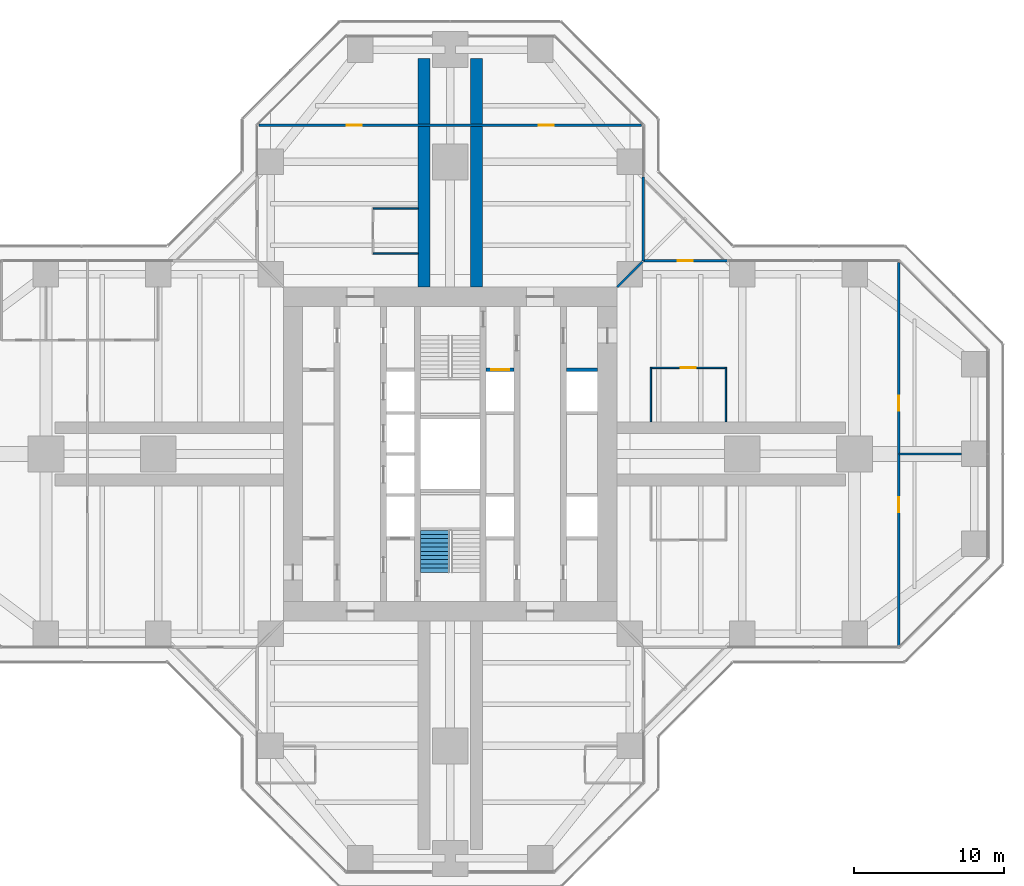
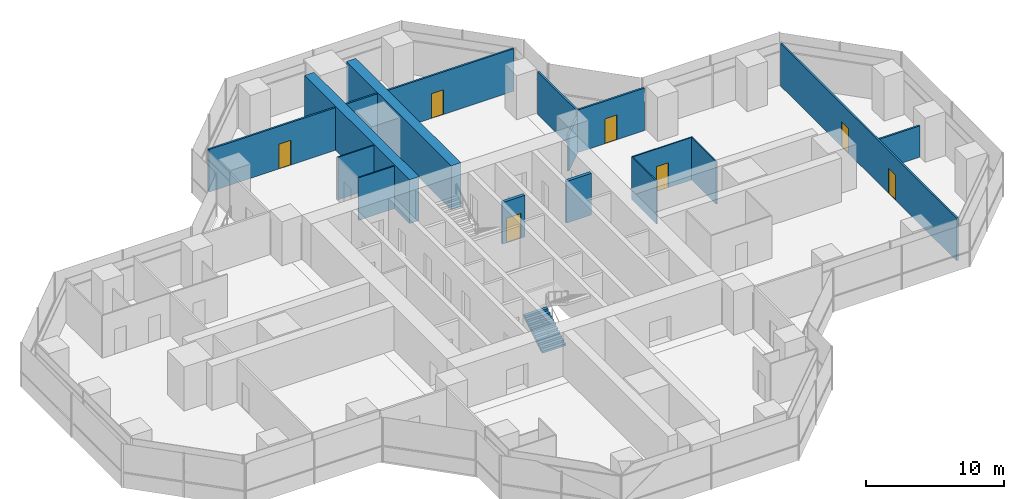
# One storey, part 17 of 19: 15 walls, 7 doors, 1 stair flight, 7 openings, 1 element without a shape of its own.
"""IFC4 building model written with IfcOpenShell, lengths in metres."""

from ifc_helpers import new_model, si_unit, direction, frame, frame_2d, origin, place, context, subcontext, project, spatial, polyline, rectangle, outline, extrude, material, layer, layer_set, type_object, element, fill, aggregate, save


model = new_model("IFC4")

# Units and contexts
model_context = context("Model", 3, precision=1e-05, world=origin(), true_north=direction((0.0, 1.0)))
body_context = subcontext(model_context, "Body", "Model", "MODEL_VIEW")
ifc_project = project(units=[si_unit("LENGTHUNIT", "METRE"), si_unit("AREAUNIT", "SQUARE_METRE"), si_unit("VOLUMEUNIT", "CUBIC_METRE"), si_unit("PLANEANGLEUNIT", "RADIAN"), si_unit("MASSUNIT", "GRAM", prefix="KILO")], contexts=[model_context])

# Site, building, storey
site_placement = place(None, origin())
site = spatial("IfcSite", under=ifc_project, at=site_placement, CompositionType="ELEMENT")
building_placement = place(site_placement, origin())
building = spatial("IfcBuilding", under=site, at=building_placement, Name="Mizan Broadcast Tower", CompositionType="ELEMENT")
storey_placement = place(building_placement, frame((0.0, 0.0, 163.199951171875)))
storey = spatial("IfcBuildingStorey", under=building, at=storey_placement, Name="L37", CompositionType="ELEMENT", Elevation=163.199951171875)

# Wall, opening, door
ifc_material_1 = material(Name="Aluminium framed glazed screen", Category="aluminium")
ifc_layer_1 = layer(ifc_material_1, 0.159912109375)
ifc_layer_set_1 = layer_set([ifc_layer_1], Name="Aluminium framed glazed screen")
wall_type_1 = type_object("IfcWallType", Name="GLAZED SCREEN WALL 160", PredefinedType="SOLIDWALL", material=ifc_layer_set_1)
wall_1_placement = place(storey_placement, frame((18.5, 12.89990234375, 0.0), z_axis=(0.0, 0.0, 1.0), x_axis=(-1.0, 0.0, 0.0)))
wall_1 = element("IfcWall", 1, at=wall_1_placement, inside=storey, type_object=wall_type_1, Name="Winter garden screen L37 E", PredefinedType="SOLIDWALL", context=body_context, shape_type="SweptSolid", body=[
    extrude(rectangle(XDim=5.60009765625, YDim=0.159912109375, at=frame_2d((2.800048828125, 0.0))), origin(), (0.0, 0.0, 1.0), 3.77001953125),
])
opening_1_placement = place(wall_1_placement, frame((2.300048828125, 0.0, 0.0)))
opening_1 = element("IfcOpeningElement", 2, at=opening_1_placement, cuts=wall_1, Name="Opening WGD", PredefinedType="OPENING", context=body_context, shape_type="SweptSolid", body=[
    extrude(rectangle(XDim=1.0, YDim=2.199951171875, at=frame_2d((0.5, 1.10009765625))), frame((0.0, 0.08984375, 0.0), z_axis=(0.0, -1.0, 0.0), x_axis=(1.0, 0.0, 0.0)), (0.0, 0.0, 1.0), 0.179931640625),
])
ifc_material_2 = material(Name="Aluminium framed glazed door", Category="aluminium")
door_type_1 = type_object("IfcDoorType", Name="WINTER GARDEN DOOR 1000 GLAZED", OperationType="SINGLE_SWING_LEFT", PredefinedType="DOOR", material=ifc_material_2)
door_1_placement = place(opening_1_placement, origin())
door_1 = element("IfcDoor", 3, at=door_1_placement, inside=storey, type_object=door_type_1, Name="Winter garden door L37 E", OperationType="SINGLE_SWING_RIGHT", OverallHeight=2.199951171875, OverallWidth=1.0, PredefinedType="DOOR", context=body_context, shape_type="SweptSolid", body=[
    extrude(rectangle(XDim=1.0, YDim=2.199951171875, at=frame_2d((0.5, 1.10009765625))), frame((0.0, 0.02490234375, 0.0), z_axis=(0.0, -1.0, 0.0), x_axis=(1.0, 0.0, 0.0)), (0.0, 0.0, 1.0), 0.050048828125),
])
fill(opening_1, door_1)

# Wall
wall_2_placement = place(storey_placement, frame((12.89990234375, 12.89990234375, 0.0), z_axis=(0.0, 0.0, 1.0), x_axis=(0.0, 1.0, 0.0)))
element("IfcWall", 4, at=wall_2_placement, inside=storey, type_object=wall_type_1, Name="Winter garden screen L37 N", PredefinedType="SOLIDWALL", context=body_context, shape_type="SweptSolid", body=[
    extrude(rectangle(XDim=5.60009765625, YDim=0.159912109375, at=frame_2d((2.800048828125, 0.0))), origin(), (0.0, 0.0, 1.0), 3.77001953125),
])

# Wall, opening, door
ifc_material_3 = material(Name="Concrete blockwork", Category="masonry")
ifc_layer_2 = layer(ifc_material_3, 0.25)
ifc_layer_set_2 = layer_set([ifc_layer_2], Name="Concrete blockwork")
wall_type_2 = type_object("IfcWallType", Name="LOBBY ENCLOSURE WALL 250", PredefinedType="SOLIDWALL", material=ifc_layer_set_2)
wall_3_placement = place(storey_placement, frame((2.39990234375, 5.625, 0.0), z_axis=(0.0, 0.0, 1.0), x_axis=(1.0, 0.0, 0.0)))
wall_3 = element("IfcWall", 5, at=wall_3_placement, inside=storey, type_object=wall_type_2, Name="Lobby enclosure wall CORE/BE2N", PredefinedType="SOLIDWALL", context=body_context, shape_type="SweptSolid", body=[
    extrude(rectangle(XDim=1.85009765625, YDim=0.25, at=frame_2d((0.925048828125, 0.0))), origin(), (0.0, 0.0, 1.0), 3.699951171875),
])
opening_2_placement = place(wall_3_placement, frame((0.324951171875, 0.0, 0.0)))
opening_2 = element("IfcOpeningElement", 6, at=opening_2_placement, cuts=wall_3, Name="Opening LDF", PredefinedType="OPENING", context=body_context, shape_type="SweptSolid", body=[
    extrude(rectangle(XDim=1.199951171875, YDim=2.199951171875, at=frame_2d((0.60009765625, 1.10009765625))), frame((0.0, 0.135009765625, 0.0), z_axis=(0.0, -1.0, 0.0), x_axis=(1.0, 0.0, 0.0)), (0.0, 0.0, 1.0), 0.27001953125),
])
ifc_material_4 = material(Name="Steel door leaf in steel frame", Category="steel")
door_type_2 = type_object("IfcDoorType", Name="FIREFIGHTING LIFT LANDING DOOR 1200", OperationType="SLIDING_TO_LEFT", PredefinedType="DOOR", material=ifc_material_4)
door_2_placement = place(opening_2_placement, origin())
door_2 = element("IfcDoor", 7, at=door_2_placement, inside=storey, type_object=door_type_2, Name="Landing door FF2", OperationType="SLIDING_TO_LEFT", OverallHeight=2.199951171875, OverallWidth=1.199951171875, PredefinedType="DOOR", context=body_context, shape_type="SweptSolid", body=[
    extrude(rectangle(XDim=1.199951171875, YDim=2.199951171875, at=frame_2d((0.60009765625, 1.10009765625))), frame((0.0, 0.02490234375, 0.0), z_axis=(0.0, -1.0, 0.0), x_axis=(1.0, 0.0, 0.0)), (0.0, 0.0, 1.0), 0.050048828125),
])
fill(opening_2, door_2)

# Wall
wall_4_placement = place(storey_placement, frame((7.75, 5.625, 0.0), z_axis=(0.0, 0.0, 1.0), x_axis=(1.0, 0.0, 0.0)))
element("IfcWall", 8, at=wall_4_placement, inside=storey, type_object=wall_type_2, Name="Lobby enclosure wall CORE/BE1N", PredefinedType="SOLIDWALL", context=body_context, shape_type="SweptSolid", body=[
    extrude(rectangle(XDim=2.10009765625, YDim=0.25, at=frame_2d((1.050048828125, 0.0))), origin(), (0.0, 0.0, 1.0), 3.699951171875),
])

# Wall, openings, doors
ifc_material_5 = material(Name="Gypsum board on steel studs", Category="steel")
ifc_layer_3 = layer(ifc_material_5, 0.14990234375)
ifc_layer_set_3 = layer_set([ifc_layer_3], Name="Gypsum board on steel studs")
wall_type_3 = type_object("IfcWallType", Name="PARTITION 150", PredefinedType="PARTITIONING", material=ifc_layer_set_3)
wall_5_placement = place(storey_placement, frame((29.958984375, -12.786376953125, 0.0), z_axis=(0.0, 0.0, 1.0), x_axis=(0.0, 1.0, 0.0)))
wall_5 = element("IfcWall", 9, at=wall_5_placement, inside=storey, type_object=wall_type_3, Name="Partition PT/EX1", PredefinedType="PARTITIONING", context=body_context, shape_type="SweptSolid", body=[
    extrude(rectangle(XDim=25.57275390625, YDim=0.14990234375, at=frame_2d((12.786376953125, 0.0))), origin(), (0.0, 0.0, 1.0), 3.77001953125),
])
opening_3_placement = place(wall_5_placement, frame((15.6865234375, 0.0, 0.0)))
opening_3 = element("IfcOpeningElement", 10, at=opening_3_placement, cuts=wall_5, Name="Opening D10", PredefinedType="OPENING", context=body_context, shape_type="SweptSolid", body=[
    extrude(rectangle(XDim=1.0, YDim=2.199951171875, at=frame_2d((0.5, 1.10009765625))), frame((0.0, 0.0849609375, 0.0), z_axis=(0.0, -1.0, 0.0), x_axis=(1.0, 0.0, 0.0)), (0.0, 0.0, 1.0), 0.169921875),
])
opening_4_placement = place(wall_5_placement, frame((8.886474609375, 0.0, 0.0)))
opening_4 = element("IfcOpeningElement", 11, at=opening_4_placement, cuts=wall_5, Name="Opening D10", PredefinedType="OPENING", context=body_context, shape_type="SweptSolid", body=[
    extrude(rectangle(XDim=1.0, YDim=2.199951171875, at=frame_2d((0.5, 1.10009765625))), frame((0.0, 0.0849609375, 0.0), z_axis=(0.0, -1.0, 0.0), x_axis=(1.0, 0.0, 0.0)), (0.0, 0.0, 1.0), 0.169921875),
])
ifc_material_6 = material(Name="Timber door leaf in aluminium frame", Category="wood")
door_type_3 = type_object("IfcDoorType", Name="ROOM DOOR 1000", OperationType="SINGLE_SWING_LEFT", PredefinedType="DOOR", material=ifc_material_6)
door_3_placement = place(opening_3_placement, origin())
door_3 = element("IfcDoor", 12, at=door_3_placement, inside=storey, type_object=door_type_3, Name="Archive reading room door", OperationType="SINGLE_SWING_RIGHT", OverallHeight=2.199951171875, OverallWidth=1.0, PredefinedType="DOOR", context=body_context, shape_type="SweptSolid", body=[
    extrude(rectangle(XDim=1.0, YDim=2.199951171875, at=frame_2d((0.5, 1.10009765625))), frame((0.0, 0.02490234375, 0.0), z_axis=(0.0, -1.0, 0.0), x_axis=(1.0, 0.0, 0.0)), (0.0, 0.0, 1.0), 0.050048828125),
])
fill(opening_3, door_3)
door_4_placement = place(opening_4_placement, origin())
door_4 = element("IfcDoor", 13, at=door_4_placement, inside=storey, type_object=door_type_3, Name="Archive reading room door", OperationType="SINGLE_SWING_LEFT", OverallHeight=2.199951171875, OverallWidth=1.0, PredefinedType="DOOR", context=body_context, shape_type="SweptSolid", body=[
    extrude(rectangle(XDim=1.0, YDim=2.199951171875, at=frame_2d((0.5, 1.10009765625))), frame((0.0, 0.02490234375, 0.0), z_axis=(0.0, -1.0, 0.0), x_axis=(1.0, 0.0, 0.0)), (0.0, 0.0, 1.0), 0.050048828125),
])
fill(opening_4, door_4)

# Wall
wall_6_placement = place(storey_placement, frame((29.958984375, 0.0, 0.0), z_axis=(0.0, 0.0, 1.0), x_axis=(1.0, 0.0, 0.0)))
element("IfcWall", 14, at=wall_6_placement, inside=storey, type_object=wall_type_3, Name="Partition PT/EES", PredefinedType="PARTITIONING", context=body_context, shape_type="SweptSolid", body=[
    extrude(rectangle(XDim=4.19091796875, YDim=0.14990234375, at=frame_2d((2.095458984375, 0.0))), origin(), (0.0, 0.0, 1.0), 2.77001953125),
])

# Wall, openings, doors
wall_7_placement = place(storey_placement, frame((12.786376953125, 21.958984375, 0.0), z_axis=(0.0, 0.0, 1.0), x_axis=(-1.0, 0.0, 0.0)))
wall_7 = element("IfcWall", 15, at=wall_7_placement, inside=storey, type_object=wall_type_3, Name="Partition PT/NX1", PredefinedType="PARTITIONING", context=body_context, shape_type="SweptSolid", body=[
    extrude(rectangle(XDim=25.57275390625, YDim=0.14990234375, at=frame_2d((12.786376953125, 0.0))), origin(), (0.0, 0.0, 1.0), 3.77001953125),
])
opening_5_placement = place(wall_7_placement, frame((18.6865234375, 0.0, 0.0)))
opening_5 = element("IfcOpeningElement", 16, at=opening_5_placement, cuts=wall_7, Name="Opening D10", PredefinedType="OPENING", context=body_context, shape_type="SweptSolid", body=[
    extrude(rectangle(XDim=1.0, YDim=2.199951171875, at=frame_2d((0.5, 1.10009765625))), frame((0.0, 0.0849609375, 0.0), z_axis=(0.0, -1.0, 0.0), x_axis=(1.0, 0.0, 0.0)), (0.0, 0.0, 1.0), 0.169921875),
])
opening_6_placement = place(wall_7_placement, frame((5.886474609375, 0.0, 0.0)))
opening_6 = element("IfcOpeningElement", 17, at=opening_6_placement, cuts=wall_7, Name="Opening D10", PredefinedType="OPENING", context=body_context, shape_type="SweptSolid", body=[
    extrude(rectangle(XDim=1.0, YDim=2.199951171875, at=frame_2d((0.5, 1.10009765625))), frame((0.0, 0.0849609375, 0.0), z_axis=(0.0, -1.0, 0.0), x_axis=(1.0, 0.0, 0.0)), (0.0, 0.0, 1.0), 0.169921875),
])
door_5_placement = place(opening_5_placement, origin())
door_5 = element("IfcDoor", 18, at=door_5_placement, inside=storey, type_object=door_type_3, Name="Meeting room door", OperationType="SINGLE_SWING_RIGHT", OverallHeight=2.199951171875, OverallWidth=1.0, PredefinedType="DOOR", context=body_context, shape_type="SweptSolid", body=[
    extrude(rectangle(XDim=1.0, YDim=2.199951171875, at=frame_2d((0.5, 1.10009765625))), frame((0.0, 0.02490234375, 0.0), z_axis=(0.0, -1.0, 0.0), x_axis=(1.0, 0.0, 0.0)), (0.0, 0.0, 1.0), 0.050048828125),
])
fill(opening_5, door_5)
door_6_placement = place(opening_6_placement, origin())
door_6 = element("IfcDoor", 19, at=door_6_placement, inside=storey, type_object=door_type_3, Name="Meeting room door", OperationType="SINGLE_SWING_LEFT", OverallHeight=2.199951171875, OverallWidth=1.0, PredefinedType="DOOR", context=body_context, shape_type="SweptSolid", body=[
    extrude(rectangle(XDim=1.0, YDim=2.199951171875, at=frame_2d((0.5, 1.10009765625))), frame((0.0, 0.02490234375, 0.0), z_axis=(0.0, -1.0, 0.0), x_axis=(1.0, 0.0, 0.0)), (0.0, 0.0, 1.0), 0.050048828125),
])
fill(opening_6, door_6)

# Walls
wall_8_placement = place(storey_placement, frame((11.14990234375, 11.14990234375, 0.0), z_axis=(0.0, 0.0, 1.0), x_axis=(0.707106781187, 0.707106781187, 0.0)))
element("IfcWall", 20, at=wall_8_placement, inside=storey, type_object=wall_type_3, Name="Partition PT/DGEN", PredefinedType="PARTITIONING", context=body_context, shape_type="SweptSolid", body=[
    extrude(rectangle(XDim=2.362060546875, YDim=0.14990234375, at=frame_2d((1.18115234375, 0.0))), origin(), (0.0, 0.0, 1.0), 3.219970703125),
])
ifc_material_7 = material(Name="Glazed aluminium partition on aluminium track", Category="aluminium")
ifc_layer_4 = layer(ifc_material_7, 0.10009765625)
ifc_layer_set_4 = layer_set([ifc_layer_4], Name="Glazed aluminium partition on aluminium track")
wall_type_4 = type_object("IfcWallType", Name="PARTITION GLAZED OFFICE FRONT 100", PredefinedType="PARTITIONING", material=ifc_layer_set_4)
for number, where, z_axis, x_axis, name in (
    (21, (13.39990234375, 2.14990234375, 0.0), (0.0, 0.0, 1.0), (0.0, 1.0, 0.0), "Glazed office front PT/EKP0a"),
    (22, (18.39990234375, 2.14990234375, 0.0), (0.0, 0.0, 1.0), (0.0, 1.0, 0.0), "Glazed office front PT/EKP0b"),
):
    element("IfcWall", number, at=place(storey_placement, frame(where, z_axis=z_axis, x_axis=x_axis)), inside=storey, type_object=wall_type_4, Name=name, PredefinedType="PARTITIONING", context=body_context, shape_type="SweptSolid", body=[
        extrude(rectangle(XDim=3.60009765625, YDim=0.10009765625, at=frame_2d((1.800048828125, 0.0))), origin(), (0.0, 0.0, 1.0), 3.77001953125),
    ])

# Wall, opening, door
wall_9_placement = place(storey_placement, frame((13.35009765625, 5.75, 0.0), z_axis=(0.0, 0.0, 1.0), x_axis=(1.0, 0.0, 0.0)))
wall_9 = element("IfcWall", 23, at=wall_9_placement, inside=storey, type_object=wall_type_4, Name="Glazed office front PT/EKP0f", PredefinedType="PARTITIONING", context=body_context, shape_type="SweptSolid", body=[
    extrude(rectangle(XDim=5.099853515625, YDim=0.10009765625, at=frame_2d((2.5498046875, 0.0))), origin(), (0.0, 0.0, 1.0), 3.77001953125),
])
opening_7_placement = place(wall_9_placement, frame((2.050048828125, 0.0, 0.0)))
opening_7 = element("IfcOpeningElement", 24, at=opening_7_placement, cuts=wall_9, Name="Opening D10O", PredefinedType="OPENING", context=body_context, shape_type="SweptSolid", body=[
    extrude(rectangle(XDim=1.0, YDim=2.199951171875, at=frame_2d((0.5, 1.10009765625))), frame((0.0, 0.06005859375, 0.0), z_axis=(0.0, -1.0, 0.0), x_axis=(1.0, 0.0, 0.0)), (0.0, 0.0, 1.0), 0.1201171875),
])
ifc_material_8 = material(Name="Timber door leaf in aluminium frame", Category="wood")
door_type_4 = type_object("IfcDoorType", Name="OFFICE DOOR 1000 GLAZED", OperationType="SINGLE_SWING_LEFT", PredefinedType="DOOR", material=ifc_material_8)
door_7_placement = place(opening_7_placement, origin())
door_7 = element("IfcDoor", 25, at=door_7_placement, inside=storey, type_object=door_type_4, Name="Archive room door", OperationType="SINGLE_SWING_LEFT", OverallHeight=2.199951171875, OverallWidth=1.0, PredefinedType="DOOR", context=body_context, shape_type="SweptSolid", body=[
    extrude(rectangle(XDim=1.0, YDim=2.199951171875, at=frame_2d((0.5, 1.10009765625))), frame((0.0, 0.02490234375, 0.0), z_axis=(0.0, -1.0, 0.0), x_axis=(1.0, 0.0, 0.0)), (0.0, 0.0, 1.0), 0.050048828125),
])
fill(opening_7, door_7)

# Walls
for number, where, z_axis, x_axis, name in (
    (26, (-2.14990234375, 13.39990234375, 0.0), (0.0, 0.0, 1.0), (-1.0, 0.0, 0.0), "Glazed office front PT/NKP0a"),
    (27, (-2.14990234375, 16.39990234375, 0.0), (0.0, 0.0, 1.0), (-1.0, 0.0, 0.0), "Glazed office front PT/NKP0b"),
):
    element("IfcWall", number, at=place(storey_placement, frame(where, z_axis=z_axis, x_axis=x_axis)), inside=storey, type_object=wall_type_4, Name=name, PredefinedType="PARTITIONING", context=body_context, shape_type="SweptSolid", body=[
        extrude(rectangle(XDim=3.0, YDim=0.10009765625, at=frame_2d((1.5, 0.0))), origin(), (0.0, 0.0, 1.0), 3.77001953125),
    ])
ifc_material_9 = material(Name="Concrete C70/85", Category="concrete")
ifc_layer_5 = layer(ifc_material_9, 0.800048828125)
ifc_layer_set_5 = layer_set([ifc_layer_5], Name="Concrete C70/85")
wall_type_5 = type_object("IfcWallType", Name="SPINE WALL 800", PredefinedType="SHEAR", material=ifc_layer_set_5)
for number, where, z_axis, x_axis, name in (
    (28, (1.75, 11.14990234375, 0.0), (0.0, 0.0, 1.0), (0.0, 1.0, 0.0), "Spine wall NR L37"),
    (29, (-1.75, 11.14990234375, 0.0), (0.0, 0.0, 1.0), (0.0, 1.0, 0.0), "Spine wall NL L37"),
):
    element("IfcWall", number, at=place(storey_placement, frame(where, z_axis=z_axis, x_axis=x_axis)), inside=storey, type_object=wall_type_5, Name=name, PredefinedType="SHEAR", context=body_context, shape_type="SweptSolid", body=[
        extrude(rectangle(XDim=15.25, YDim=0.800048828125, at=frame_2d((7.625, 0.0))), origin(), (0.0, 0.0, 1.0), 3.900146484375),
    ])

# Stair, stair flight
ifc_material_10 = material(Name="Concrete C40/50", Category="concrete")
stair_type = type_object("IfcStairType", Name="EXIT STAIR", PredefinedType="HALF_TURN_STAIR", material=ifc_material_10)
stair_placement = place(storey_placement, origin())
stair = element("IfcStair", 30, at=stair_placement, inside=storey, type_object=stair_type, Name="Stair A L37", PredefinedType="HALF_TURN_STAIR")
ifc_material_11 = material(Name="Concrete C40/50", Category="concrete")
stair_flight_type = type_object("IfcStairFlightType", Name="EXIT STAIR FLIGHT", PredefinedType="STRAIGHT", material=ifc_material_11)
stair_flight_placement = place(storey_placement, frame((-1.02490234375, -7.89990234375, 0.0), z_axis=(0.0, 0.0, 1.0), x_axis=(0.0, 1.0, 0.0)))
stair_flight = element("IfcStairFlight", 31, at=stair_flight_placement, type_object=stair_flight_type, Name="A flight 1", NumberOfRisers=11, NumberOfTreads=10, PredefinedType="STRAIGHT", RiserHeight=0.177272727, TreadLength=0.28, context=body_context, shape_type="SweptSolid", body=[
    extrude(outline(polyline([(0.0, 0.0), (0.0, 0.17724609375), (0.280029296875, 0.17724609375), (0.280029296875, 0.3544921875), (0.56005859375, 0.3544921875), (0.56005859375, 0.53173828125), (0.840087890625, 0.53173828125), (0.840087890625, 0.708984375), (1.1201171875, 0.708984375), (1.1201171875, 0.886474609375), (1.39990234375, 0.886474609375), (1.39990234375, 1.063720703125), (1.679931640625, 1.063720703125), (1.679931640625, 1.240966796875), (1.9599609375, 1.240966796875), (1.9599609375, 1.418212890625), (2.239990234375, 1.418212890625), (2.239990234375, 1.595458984375), (2.52001953125, 1.595458984375), (2.52001953125, 1.772705078125), (2.800048828125, 1.772705078125), (2.800048828125, 1.949951171875), (2.800048828125, 1.59521484375), (0.2802734375, 0.0), (0.0, 0.0)])), frame((0.0, 0.97509765625, 0.0), z_axis=(0.0, -1.0, 0.0), x_axis=(1.0, 0.0, 0.0)), (0.0, 0.0, 1.0), 0.4873046875),
    extrude(outline(polyline([(0.0, 0.0), (0.0, 0.17724609375), (0.280029296875, 0.17724609375), (0.280029296875, 0.3544921875), (0.56005859375, 0.3544921875), (0.56005859375, 0.53173828125), (0.840087890625, 0.53173828125), (0.840087890625, 0.708984375), (1.1201171875, 0.708984375), (1.1201171875, 0.886474609375), (1.39990234375, 0.886474609375), (1.39990234375, 1.063720703125), (1.679931640625, 1.063720703125), (1.679931640625, 1.240966796875), (1.9599609375, 1.240966796875), (1.9599609375, 1.418212890625), (2.239990234375, 1.418212890625), (2.239990234375, 1.595458984375), (2.52001953125, 1.595458984375), (2.52001953125, 1.772705078125), (2.800048828125, 1.772705078125), (2.800048828125, 1.949951171875), (2.800048828125, 1.59521484375), (0.2802734375, 0.0), (0.0, 0.0)])), frame((0.0, 0.4873046875, 0.0), z_axis=(0.0, -1.0, 0.0), x_axis=(1.0, 0.0, 0.0)), (0.0, 0.0, 1.0), 0.2431640625),
    extrude(outline(polyline([(0.0, 0.0), (0.0, 0.17724609375), (0.280029296875, 0.17724609375), (0.280029296875, 0.3544921875), (0.56005859375, 0.3544921875), (0.56005859375, 0.53173828125), (0.840087890625, 0.53173828125), (0.840087890625, 0.708984375), (1.1201171875, 0.708984375), (1.1201171875, 0.886474609375), (1.39990234375, 0.886474609375), (1.39990234375, 1.063720703125), (1.679931640625, 1.063720703125), (1.679931640625, 1.240966796875), (1.9599609375, 1.240966796875), (1.9599609375, 1.418212890625), (2.239990234375, 1.418212890625), (2.239990234375, 1.595458984375), (2.52001953125, 1.595458984375), (2.52001953125, 1.772705078125), (2.800048828125, 1.772705078125), (2.800048828125, 1.949951171875), (2.800048828125, 1.59521484375), (0.2802734375, 0.0), (0.0, 0.0)])), frame((0.0, 0.24365234375, 0.0), z_axis=(0.0, -1.0, 0.0), x_axis=(1.0, 0.0, 0.0)), (0.0, 0.0, 1.0), 0.121337890625),
    extrude(outline(polyline([(0.0, 0.0), (0.0, 0.17724609375), (0.280029296875, 0.17724609375), (0.280029296875, 0.3544921875), (0.56005859375, 0.3544921875), (0.56005859375, 0.53173828125), (0.840087890625, 0.53173828125), (0.840087890625, 0.708984375), (1.1201171875, 0.708984375), (1.1201171875, 0.886474609375), (1.39990234375, 0.886474609375), (1.39990234375, 1.063720703125), (1.679931640625, 1.063720703125), (1.679931640625, 1.240966796875), (1.9599609375, 1.240966796875), (1.9599609375, 1.418212890625), (2.239990234375, 1.418212890625), (2.239990234375, 1.595458984375), (2.52001953125, 1.595458984375), (2.52001953125, 1.772705078125), (2.800048828125, 1.772705078125), (2.800048828125, 1.949951171875), (2.800048828125, 1.59521484375), (0.2802734375, 0.0), (0.0, 0.0)])), frame((0.0, 0.121826171875, 0.0), z_axis=(0.0, -1.0, 0.0), x_axis=(1.0, 0.0, 0.0)), (0.0, 0.0, 1.0), 0.060546875),
    extrude(outline(polyline([(0.0, 0.0), (0.0, 0.17724609375), (0.280029296875, 0.17724609375), (0.280029296875, 0.3544921875), (0.56005859375, 0.3544921875), (0.56005859375, 0.53173828125), (0.840087890625, 0.53173828125), (0.840087890625, 0.708984375), (1.1201171875, 0.708984375), (1.1201171875, 0.886474609375), (1.39990234375, 0.886474609375), (1.39990234375, 1.063720703125), (1.679931640625, 1.063720703125), (1.679931640625, 1.240966796875), (1.9599609375, 1.240966796875), (1.9599609375, 1.418212890625), (2.239990234375, 1.418212890625), (2.239990234375, 1.595458984375), (2.52001953125, 1.595458984375), (2.52001953125, 1.772705078125), (2.800048828125, 1.772705078125), (2.800048828125, 1.949951171875), (2.800048828125, 1.59521484375), (0.2802734375, 0.0), (0.0, 0.0)])), frame((0.0, 0.060791015625, 0.0), z_axis=(0.0, -1.0, 0.0), x_axis=(1.0, 0.0, 0.0)), (0.0, 0.0, 1.0), 0.030029296875),
    extrude(outline(polyline([(0.0, 0.0), (0.0, 0.17724609375), (0.280029296875, 0.17724609375), (0.280029296875, 0.3544921875), (0.56005859375, 0.3544921875), (0.56005859375, 0.53173828125), (0.840087890625, 0.53173828125), (0.840087890625, 0.708984375), (1.1201171875, 0.708984375), (1.1201171875, 0.886474609375), (1.39990234375, 0.886474609375), (1.39990234375, 1.063720703125), (1.679931640625, 1.063720703125), (1.679931640625, 1.240966796875), (1.9599609375, 1.240966796875), (1.9599609375, 1.418212890625), (2.239990234375, 1.418212890625), (2.239990234375, 1.595458984375), (2.52001953125, 1.595458984375), (2.52001953125, 1.772705078125), (2.800048828125, 1.772705078125), (2.800048828125, 1.949951171875), (2.800048828125, 1.59521484375), (0.2802734375, 0.0), (0.0, 0.0)])), frame((0.0, 0.0302734375, 0.0), z_axis=(0.0, -1.0, 0.0), x_axis=(1.0, 0.0, 0.0)), (0.0, 0.0, 1.0), 0.060302734375),
    extrude(outline(polyline([(0.0, 0.0), (0.0, 0.17724609375), (0.280029296875, 0.17724609375), (0.280029296875, 0.3544921875), (0.56005859375, 0.3544921875), (0.56005859375, 0.53173828125), (0.840087890625, 0.53173828125), (0.840087890625, 0.708984375), (1.1201171875, 0.708984375), (1.1201171875, 0.886474609375), (1.39990234375, 0.886474609375), (1.39990234375, 1.063720703125), (1.679931640625, 1.063720703125), (1.679931640625, 1.240966796875), (1.9599609375, 1.240966796875), (1.9599609375, 1.418212890625), (2.239990234375, 1.418212890625), (2.239990234375, 1.595458984375), (2.52001953125, 1.595458984375), (2.52001953125, 1.772705078125), (2.800048828125, 1.772705078125), (2.800048828125, 1.949951171875), (2.800048828125, 1.59521484375), (0.2802734375, 0.0), (0.0, 0.0)])), frame((0.0, -0.030517578125, 0.0), z_axis=(0.0, -1.0, 0.0), x_axis=(1.0, 0.0, 0.0)), (0.0, 0.0, 1.0), 0.030029296875),
    extrude(outline(polyline([(0.0, 0.0), (0.0, 0.17724609375), (0.280029296875, 0.17724609375), (0.280029296875, 0.3544921875), (0.56005859375, 0.3544921875), (0.56005859375, 0.53173828125), (0.840087890625, 0.53173828125), (0.840087890625, 0.708984375), (1.1201171875, 0.708984375), (1.1201171875, 0.886474609375), (1.39990234375, 0.886474609375), (1.39990234375, 1.063720703125), (1.679931640625, 1.063720703125), (1.679931640625, 1.240966796875), (1.9599609375, 1.240966796875), (1.9599609375, 1.418212890625), (2.239990234375, 1.418212890625), (2.239990234375, 1.595458984375), (2.52001953125, 1.595458984375), (2.52001953125, 1.772705078125), (2.800048828125, 1.772705078125), (2.800048828125, 1.949951171875), (2.800048828125, 1.59521484375), (0.2802734375, 0.0), (0.0, 0.0)])), frame((0.0, -0.06103515625, 0.0), z_axis=(0.0, -1.0, 0.0), x_axis=(1.0, 0.0, 0.0)), (0.0, 0.0, 1.0), 0.060546875),
    extrude(outline(polyline([(0.0, 0.0), (0.0, 0.17724609375), (0.280029296875, 0.17724609375), (0.280029296875, 0.3544921875), (0.56005859375, 0.3544921875), (0.56005859375, 0.53173828125), (0.840087890625, 0.53173828125), (0.840087890625, 0.708984375), (1.1201171875, 0.708984375), (1.1201171875, 0.886474609375), (1.39990234375, 0.886474609375), (1.39990234375, 1.063720703125), (1.679931640625, 1.063720703125), (1.679931640625, 1.240966796875), (1.9599609375, 1.240966796875), (1.9599609375, 1.418212890625), (2.239990234375, 1.418212890625), (2.239990234375, 1.595458984375), (2.52001953125, 1.595458984375), (2.52001953125, 1.772705078125), (2.800048828125, 1.772705078125), (2.800048828125, 1.949951171875), (2.800048828125, 1.59521484375), (0.2802734375, 0.0), (0.0, 0.0)])), frame((0.0, -0.1220703125, 0.0), z_axis=(0.0, -1.0, 0.0), x_axis=(1.0, 0.0, 0.0)), (0.0, 0.0, 1.0), 0.121337890625),
    extrude(outline(polyline([(0.0, 0.0), (0.0, 0.17724609375), (0.280029296875, 0.17724609375), (0.280029296875, 0.3544921875), (0.56005859375, 0.3544921875), (0.56005859375, 0.53173828125), (0.840087890625, 0.53173828125), (0.840087890625, 0.708984375), (1.1201171875, 0.708984375), (1.1201171875, 0.886474609375), (1.39990234375, 0.886474609375), (1.39990234375, 1.063720703125), (1.679931640625, 1.063720703125), (1.679931640625, 1.240966796875), (1.9599609375, 1.240966796875), (1.9599609375, 1.418212890625), (2.239990234375, 1.418212890625), (2.239990234375, 1.595458984375), (2.52001953125, 1.595458984375), (2.52001953125, 1.772705078125), (2.800048828125, 1.772705078125), (2.800048828125, 1.949951171875), (2.800048828125, 1.59521484375), (0.2802734375, 0.0), (0.0, 0.0)])), frame((0.0, -0.243896484375, 0.0), z_axis=(0.0, -1.0, 0.0), x_axis=(1.0, 0.0, 0.0)), (0.0, 0.0, 1.0), 0.2431640625),
    extrude(outline(polyline([(0.0, 0.0), (0.0, 0.17724609375), (0.280029296875, 0.17724609375), (0.280029296875, 0.3544921875), (0.56005859375, 0.3544921875), (0.56005859375, 0.53173828125), (0.840087890625, 0.53173828125), (0.840087890625, 0.708984375), (1.1201171875, 0.708984375), (1.1201171875, 0.886474609375), (1.39990234375, 0.886474609375), (1.39990234375, 1.063720703125), (1.679931640625, 1.063720703125), (1.679931640625, 1.240966796875), (1.9599609375, 1.240966796875), (1.9599609375, 1.418212890625), (2.239990234375, 1.418212890625), (2.239990234375, 1.595458984375), (2.52001953125, 1.595458984375), (2.52001953125, 1.772705078125), (2.800048828125, 1.772705078125), (2.800048828125, 1.949951171875), (2.800048828125, 1.59521484375), (0.2802734375, 0.0), (0.0, 0.0)])), frame((0.0, -0.487548828125, 0.0), z_axis=(0.0, -1.0, 0.0), x_axis=(1.0, 0.0, 0.0)), (0.0, 0.0, 1.0), 0.4873046875),
])
aggregate(stair, [stair_flight])

save(model, "model.ifc")
